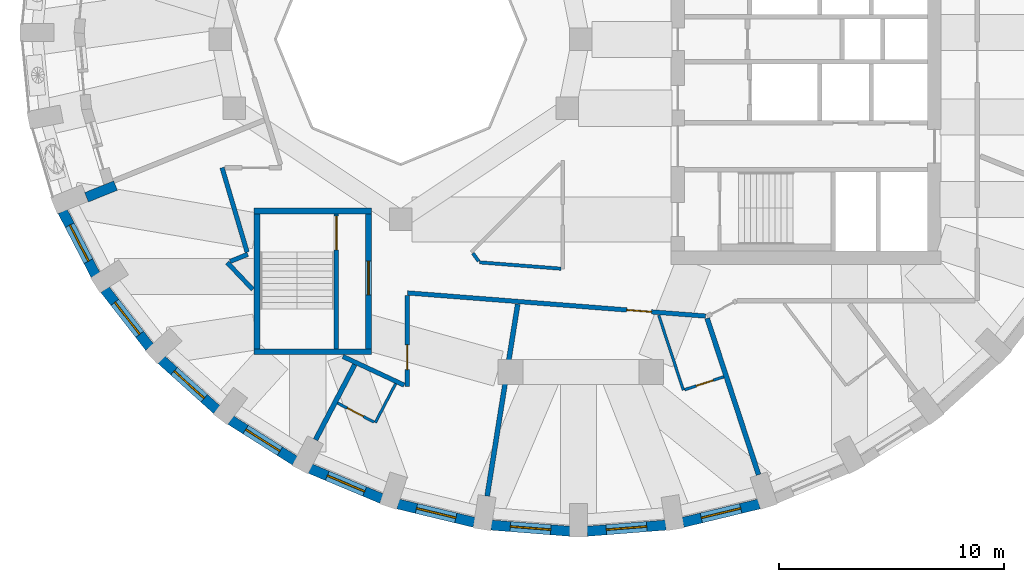
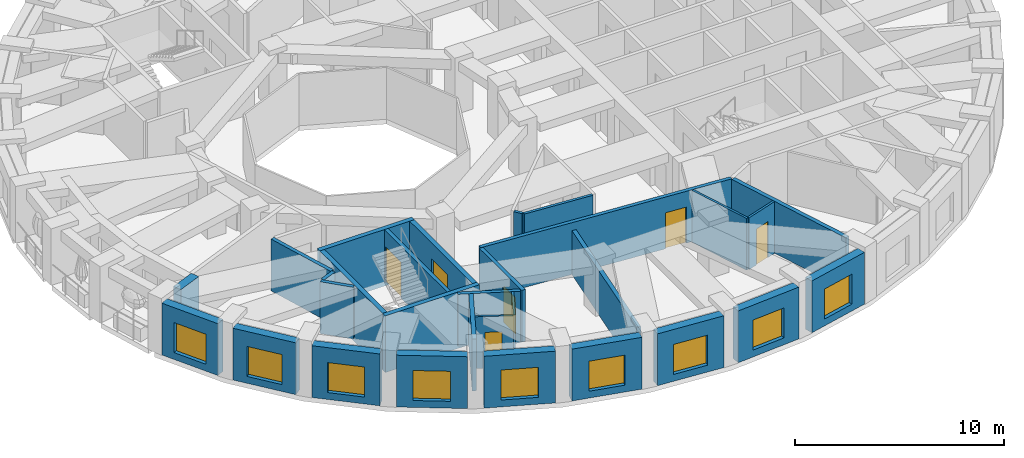
# One storey, part 3 of 12: 30 walls, 9 windows, 6 doors, 15 openings.
"""IFC4 building model written with IfcOpenShell, lengths in metres."""

from ifc_helpers import new_model, si_unit, direction, frame, frame_2d, origin, place, context, subcontext, project, spatial, rectangle, extrude, material, layer, layer_set, type_object, element, fill, save


model = new_model("IFC4")

# Units and contexts
model_context = context("Model", 3, precision=1e-05, world=origin(), true_north=direction((0.0, 1.0)))
body_context = subcontext(model_context, "Body", "Model", "MODEL_VIEW")
ifc_project = project(units=[si_unit("LENGTHUNIT", "METRE"), si_unit("AREAUNIT", "SQUARE_METRE"), si_unit("VOLUMEUNIT", "CUBIC_METRE"), si_unit("PLANEANGLEUNIT", "RADIAN"), si_unit("MASSUNIT", "GRAM", prefix="KILO")], contexts=[model_context])

# Site, building, storey
site_placement = place(None, origin())
site = spatial("IfcSite", under=ifc_project, at=site_placement, CompositionType="ELEMENT")
building_placement = place(site_placement, origin())
building = spatial("IfcBuilding", under=site, at=building_placement, Name="Taillehof Tower", CompositionType="ELEMENT")
storey_placement = place(building_placement, frame((0.0, 0.0, 236.60009765625)))
storey = spatial("IfcBuildingStorey", under=building, at=storey_placement, Name="L67", CompositionType="ELEMENT", Elevation=236.60009765625)

# Wall, opening, window
ifc_material_1 = material(Name="Brick masonry", Category="masonry")
ifc_layer_1 = layer(ifc_material_1, 0.449951171875)
ifc_layer_set_1 = layer_set([ifc_layer_1], Name="Brick infill wall 450")
wall_type_1 = type_object("IfcWallType", Name="Brick infill wall 450", PredefinedType="SOLIDWALL", material=ifc_layer_set_1)
wall_1_placement = place(storey_placement, frame((-23.010009765625, -7.6396484375, 0.0), z_axis=(0.0, 0.0, 1.0), x_axis=(0.459921155255, -0.887959757505, 0.0)))
wall_1 = element("IfcWall", 1, at=wall_1_placement, inside=storey, type_object=wall_type_1, Name="Brick wall L67 bay 21", PredefinedType="SOLIDWALL", context=body_context, shape_type="SweptSolid", body=[
    extrude(rectangle(XDim=3.185546875, YDim=0.449951171875, at=frame_2d((1.5927734375, 0.0))), origin(), (0.0, 0.0, 1.0), 3.02001953125),
])
opening_1_placement = place(wall_1_placement, frame((0.69287109375, 0.0, 0.39990234375)))
opening_1 = element("IfcOpeningElement", 2, at=opening_1_placement, cuts=wall_1, Name="Opening W4", PredefinedType="OPENING", context=body_context, shape_type="SweptSolid", body=[
    extrude(rectangle(XDim=1.800048828125, YDim=1.75, at=frame_2d((0.89990234375, 0.875))), frame((0.0, 0.23486328125, 0.0), z_axis=(0.0, -1.0, 0.0), x_axis=(1.0, 0.0, 0.0)), (0.0, 0.0, 1.0), 0.469970703125),
])
ifc_material_2 = material(Name="Aluminium window frame with clear double glazing", Category="aluminium")
window_type = type_object("IfcWindowType", Name="Deep-set window 1800x1750", PartitioningType="SINGLE_PANEL", PredefinedType="WINDOW", material=ifc_material_2)
window_1_placement = place(opening_1_placement, origin())
window_1 = element("IfcWindow", 3, at=window_1_placement, inside=storey, type_object=window_type, Name="W4", OverallHeight=1.75, OverallWidth=1.800048828125, PartitioningType="SINGLE_PANEL", PredefinedType="WINDOW", context=body_context, shape_type="SweptSolid", body=[
    extrude(rectangle(XDim=1.800048828125, YDim=1.75, at=frame_2d((0.89990234375, 0.875))), frame((0.0, 0.034912109375, 0.0), z_axis=(0.0, -1.0, 0.0), x_axis=(1.0, 0.0, 0.0)), (0.0, 0.0, 1.0), 0.06005859375),
])
fill(opening_1, window_1)

wall_2_placement = place(storey_placement, frame((-21.135009765625, -11.108642578125, 0.0), z_axis=(0.0, 0.0, 1.0), x_axis=(0.613898970825, -0.789384604372, 0.0)))
wall_2 = element("IfcWall", 4, at=wall_2_placement, inside=storey, type_object=wall_type_1, Name="Brick wall L67 bay 22", PredefinedType="SOLIDWALL", context=body_context, shape_type="SweptSolid", body=[
    extrude(rectangle(XDim=3.2470703125, YDim=0.449951171875, at=frame_2d((1.62353515625, 0.0))), origin(), (0.0, 0.0, 1.0), 3.02001953125),
])
opening_2_placement = place(wall_2_placement, frame((0.7236328125, 0.0, 0.39990234375)))
opening_2 = element("IfcOpeningElement", 5, at=opening_2_placement, cuts=wall_2, Name="Opening W4", PredefinedType="OPENING", context=body_context, shape_type="SweptSolid", body=[
    extrude(rectangle(XDim=1.800048828125, YDim=1.75, at=frame_2d((0.89990234375, 0.875))), frame((0.0, 0.23486328125, 0.0), z_axis=(0.0, -1.0, 0.0), x_axis=(1.0, 0.0, 0.0)), (0.0, 0.0, 1.0), 0.469970703125),
])
window_2_placement = place(opening_2_placement, origin())
window_2 = element("IfcWindow", 6, at=window_2_placement, inside=storey, type_object=window_type, Name="W4", OverallHeight=1.75, OverallWidth=1.800048828125, PartitioningType="SINGLE_PANEL", PredefinedType="WINDOW", context=body_context, shape_type="SweptSolid", body=[
    extrude(rectangle(XDim=1.800048828125, YDim=1.75, at=frame_2d((0.89990234375, 0.875))), frame((0.0, 0.034912109375, 0.0), z_axis=(0.0, -1.0, 0.0), x_axis=(1.0, 0.0, 0.0)), (0.0, 0.0, 1.0), 0.06005859375),
])
fill(opening_2, window_2)

wall_3_placement = place(storey_placement, frame((-18.623779296875, -14.228515625, 0.0), z_axis=(0.0, 0.0, 1.0), x_axis=(0.743166014219, -0.669107073128, 0.0)))
wall_3 = element("IfcWall", 7, at=wall_3_placement, inside=storey, type_object=wall_type_1, Name="Brick wall L67 bay 23", PredefinedType="SOLIDWALL", context=body_context, shape_type="SweptSolid", body=[
    extrude(rectangle(XDim=3.31640625, YDim=0.449951171875, at=frame_2d((1.658203125, 0.0))), origin(), (0.0, 0.0, 1.0), 3.02001953125),
])
opening_3_placement = place(wall_3_placement, frame((0.75830078125, 0.0, 0.39990234375)))
opening_3 = element("IfcOpeningElement", 8, at=opening_3_placement, cuts=wall_3, Name="Opening W4", PredefinedType="OPENING", context=body_context, shape_type="SweptSolid", body=[
    extrude(rectangle(XDim=1.800048828125, YDim=1.75, at=frame_2d((0.89990234375, 0.875))), frame((0.0, 0.23486328125, 0.0), z_axis=(0.0, -1.0, 0.0), x_axis=(1.0, 0.0, 0.0)), (0.0, 0.0, 1.0), 0.469970703125),
])
window_3_placement = place(opening_3_placement, origin())
window_3 = element("IfcWindow", 9, at=window_3_placement, inside=storey, type_object=window_type, Name="W4", OverallHeight=1.75, OverallWidth=1.800048828125, PartitioningType="SINGLE_PANEL", PredefinedType="WINDOW", context=body_context, shape_type="SweptSolid", body=[
    extrude(rectangle(XDim=1.800048828125, YDim=1.75, at=frame_2d((0.89990234375, 0.875))), frame((0.0, 0.034912109375, 0.0), z_axis=(0.0, -1.0, 0.0), x_axis=(1.0, 0.0, 0.0)), (0.0, 0.0, 1.0), 0.06005859375),
])
fill(opening_3, window_3)

wall_4_placement = place(storey_placement, frame((-15.552978515625, -16.906005859375, 0.0), z_axis=(0.0, 0.0, 1.0), x_axis=(0.845929139811, -0.53329531258, 0.0)))
wall_4 = element("IfcWall", 10, at=wall_4_placement, inside=storey, type_object=wall_type_1, Name="Brick wall L67 bay 24", PredefinedType="SOLIDWALL", context=body_context, shape_type="SweptSolid", body=[
    extrude(rectangle(XDim=3.384521484375, YDim=0.449951171875, at=frame_2d((1.6923828125, 0.0))), origin(), (0.0, 0.0, 1.0), 3.02001953125),
])
opening_4_placement = place(wall_4_placement, frame((0.792236328125, 0.0, 0.39990234375)))
opening_4 = element("IfcOpeningElement", 11, at=opening_4_placement, cuts=wall_4, Name="Opening W4", PredefinedType="OPENING", context=body_context, shape_type="SweptSolid", body=[
    extrude(rectangle(XDim=1.800048828125, YDim=1.75, at=frame_2d((0.89990234375, 0.875))), frame((0.0, 0.23486328125, 0.0), z_axis=(0.0, -1.0, 0.0), x_axis=(1.0, 0.0, 0.0)), (0.0, 0.0, 1.0), 0.469970703125),
])
window_4_placement = place(opening_4_placement, origin())
window_4 = element("IfcWindow", 12, at=window_4_placement, inside=storey, type_object=window_type, Name="W4", OverallHeight=1.75, OverallWidth=1.800048828125, PartitioningType="SINGLE_PANEL", PredefinedType="WINDOW", context=body_context, shape_type="SweptSolid", body=[
    extrude(rectangle(XDim=1.800048828125, YDim=1.75, at=frame_2d((0.89990234375, 0.875))), frame((0.0, 0.034912109375, 0.0), z_axis=(0.0, -1.0, 0.0), x_axis=(1.0, 0.0, 0.0)), (0.0, 0.0, 1.0), 0.06005859375),
])
fill(opening_4, window_4)

wall_5_placement = place(storey_placement, frame((-12.015625, -19.06201171875, 0.0), z_axis=(0.0, 0.0, 1.0), x_axis=(0.922049934692, -0.3870709469, 0.0)))
wall_5 = element("IfcWall", 13, at=wall_5_placement, inside=storey, type_object=wall_type_1, Name="Brick wall L67 bay 25", PredefinedType="SOLIDWALL", context=body_context, shape_type="SweptSolid", body=[
    extrude(rectangle(XDim=3.443115234375, YDim=0.449951171875, at=frame_2d((1.7216796875, 0.0))), origin(), (0.0, 0.0, 1.0), 3.02001953125),
])
opening_5_placement = place(wall_5_placement, frame((0.82177734375, 0.0, 0.39990234375)))
opening_5 = element("IfcOpeningElement", 14, at=opening_5_placement, cuts=wall_5, Name="Opening W4", PredefinedType="OPENING", context=body_context, shape_type="SweptSolid", body=[
    extrude(rectangle(XDim=1.800048828125, YDim=1.75, at=frame_2d((0.89990234375, 0.875))), frame((0.0, 0.23486328125, 0.0), z_axis=(0.0, -1.0, 0.0), x_axis=(1.0, 0.0, 0.0)), (0.0, 0.0, 1.0), 0.469970703125),
])
window_5_placement = place(opening_5_placement, origin())
window_5 = element("IfcWindow", 15, at=window_5_placement, inside=storey, type_object=window_type, Name="W4", OverallHeight=1.75, OverallWidth=1.800048828125, PartitioningType="SINGLE_PANEL", PredefinedType="WINDOW", context=body_context, shape_type="SweptSolid", body=[
    extrude(rectangle(XDim=1.800048828125, YDim=1.75, at=frame_2d((0.89990234375, 0.875))), frame((0.0, 0.034912109375, 0.0), z_axis=(0.0, -1.0, 0.0), x_axis=(1.0, 0.0, 0.0)), (0.0, 0.0, 1.0), 0.06005859375),
])
fill(opening_5, window_5)

wall_6_placement = place(storey_placement, frame((-8.11865234375, -20.6318359375, 0.0), z_axis=(0.0, 0.0, 1.0), x_axis=(0.972115243017, -0.234503633859, 0.0)))
wall_6 = element("IfcWall", 16, at=wall_6_placement, inside=storey, type_object=wall_type_1, Name="Brick wall L67 bay 26", PredefinedType="SOLIDWALL", context=body_context, shape_type="SweptSolid", body=[
    extrude(rectangle(XDim=3.486572265625, YDim=0.449951171875, at=frame_2d((1.7431640625, 0.0))), origin(), (0.0, 0.0, 1.0), 3.02001953125),
])
opening_6_placement = place(wall_6_placement, frame((0.84326171875, 0.0, 0.39990234375)))
opening_6 = element("IfcOpeningElement", 17, at=opening_6_placement, cuts=wall_6, Name="Opening W4", PredefinedType="OPENING", context=body_context, shape_type="SweptSolid", body=[
    extrude(rectangle(XDim=1.800048828125, YDim=1.75, at=frame_2d((0.89990234375, 0.875))), frame((0.0, 0.23486328125, 0.0), z_axis=(0.0, -1.0, 0.0), x_axis=(1.0, 0.0, 0.0)), (0.0, 0.0, 1.0), 0.469970703125),
])
window_6_placement = place(opening_6_placement, origin())
window_6 = element("IfcWindow", 18, at=window_6_placement, inside=storey, type_object=window_type, Name="W4", OverallHeight=1.75, OverallWidth=1.800048828125, PartitioningType="SINGLE_PANEL", PredefinedType="WINDOW", context=body_context, shape_type="SweptSolid", body=[
    extrude(rectangle(XDim=1.800048828125, YDim=1.75, at=frame_2d((0.89990234375, 0.875))), frame((0.0, 0.034912109375, 0.0), z_axis=(0.0, -1.0, 0.0), x_axis=(1.0, 0.0, 0.0)), (0.0, 0.0, 1.0), 0.06005859375),
])
fill(opening_6, window_6)

wall_7_placement = place(storey_placement, frame((-3.978515625, -21.56884765625, 0.0), z_axis=(0.0, 0.0, 1.0), x_axis=(0.996910775835, -0.078542377245, 0.0)))
wall_7 = element("IfcWall", 19, at=wall_7_placement, inside=storey, type_object=wall_type_1, Name="Brick wall L67 bay 27", PredefinedType="SOLIDWALL", context=body_context, shape_type="SweptSolid", body=[
    extrude(rectangle(XDim=3.50927734375, YDim=0.449951171875, at=frame_2d((1.754638671875, 0.0))), origin(), (0.0, 0.0, 1.0), 3.02001953125),
])
opening_7_placement = place(wall_7_placement, frame((0.854736328125, 0.0, 0.39990234375)))
opening_7 = element("IfcOpeningElement", 20, at=opening_7_placement, cuts=wall_7, Name="Opening W4", PredefinedType="OPENING", context=body_context, shape_type="SweptSolid", body=[
    extrude(rectangle(XDim=1.800048828125, YDim=1.75, at=frame_2d((0.89990234375, 0.875))), frame((0.0, 0.23486328125, 0.0), z_axis=(0.0, -1.0, 0.0), x_axis=(1.0, 0.0, 0.0)), (0.0, 0.0, 1.0), 0.469970703125),
])
window_7_placement = place(opening_7_placement, origin())
window_7 = element("IfcWindow", 21, at=window_7_placement, inside=storey, type_object=window_type, Name="W4", OverallHeight=1.75, OverallWidth=1.800048828125, PartitioningType="SINGLE_PANEL", PredefinedType="WINDOW", context=body_context, shape_type="SweptSolid", body=[
    extrude(rectangle(XDim=1.800048828125, YDim=1.75, at=frame_2d((0.89990234375, 0.875))), frame((0.0, 0.034912109375, 0.0), z_axis=(0.0, -1.0, 0.0), x_axis=(1.0, 0.0, 0.0)), (0.0, 0.0, 1.0), 0.06005859375),
])
fill(opening_7, window_7)

wall_8_placement = place(storey_placement, frame((0.280029296875, -21.844482421875, 0.0), z_axis=(0.0, 0.0, 1.0), x_axis=(0.996910775835, 0.078542377245, 0.0)))
wall_8 = element("IfcWall", 22, at=wall_8_placement, inside=storey, type_object=wall_type_1, Name="Brick wall L67 bay 28", PredefinedType="SOLIDWALL", context=body_context, shape_type="SweptSolid", body=[
    extrude(rectangle(XDim=3.50927734375, YDim=0.449951171875, at=frame_2d((1.754638671875, 0.0))), origin(), (0.0, 0.0, 1.0), 3.02001953125),
])
opening_8_placement = place(wall_8_placement, frame((0.854736328125, 0.0, 0.39990234375)))
opening_8 = element("IfcOpeningElement", 23, at=opening_8_placement, cuts=wall_8, Name="Opening W4", PredefinedType="OPENING", context=body_context, shape_type="SweptSolid", body=[
    extrude(rectangle(XDim=1.800048828125, YDim=1.75, at=frame_2d((0.89990234375, 0.875))), frame((0.0, 0.23486328125, 0.0), z_axis=(0.0, -1.0, 0.0), x_axis=(1.0, 0.0, 0.0)), (0.0, 0.0, 1.0), 0.469970703125),
])
window_8_placement = place(opening_8_placement, origin())
window_8 = element("IfcWindow", 24, at=window_8_placement, inside=storey, type_object=window_type, Name="W4", OverallHeight=1.75, OverallWidth=1.800048828125, PartitioningType="SINGLE_PANEL", PredefinedType="WINDOW", context=body_context, shape_type="SweptSolid", body=[
    extrude(rectangle(XDim=1.800048828125, YDim=1.75, at=frame_2d((0.89990234375, 0.875))), frame((0.0, 0.034912109375, 0.0), z_axis=(0.0, -1.0, 0.0), x_axis=(1.0, 0.0, 0.0)), (0.0, 0.0, 1.0), 0.06005859375),
])
fill(opening_8, window_8)

wall_9_placement = place(storey_placement, frame((4.529296875, -21.449462890625, 0.0), z_axis=(0.0, 0.0, 1.0), x_axis=(0.972115243017, 0.234503633859, 0.0)))
wall_9 = element("IfcWall", 25, at=wall_9_placement, inside=storey, type_object=wall_type_1, Name="Brick wall L67 bay 29", PredefinedType="SOLIDWALL", context=body_context, shape_type="SweptSolid", body=[
    extrude(rectangle(XDim=3.486572265625, YDim=0.449951171875, at=frame_2d((1.7431640625, 0.0))), origin(), (0.0, 0.0, 1.0), 3.02001953125),
])
opening_9_placement = place(wall_9_placement, frame((0.84326171875, 0.0, 0.39990234375)))
opening_9 = element("IfcOpeningElement", 26, at=opening_9_placement, cuts=wall_9, Name="Opening W4", PredefinedType="OPENING", context=body_context, shape_type="SweptSolid", body=[
    extrude(rectangle(XDim=1.800048828125, YDim=1.75, at=frame_2d((0.89990234375, 0.875))), frame((0.0, 0.23486328125, 0.0), z_axis=(0.0, -1.0, 0.0), x_axis=(1.0, 0.0, 0.0)), (0.0, 0.0, 1.0), 0.469970703125),
])
window_9_placement = place(opening_9_placement, origin())
window_9 = element("IfcWindow", 27, at=window_9_placement, inside=storey, type_object=window_type, Name="W4", OverallHeight=1.75, OverallWidth=1.800048828125, PartitioningType="SINGLE_PANEL", PredefinedType="WINDOW", context=body_context, shape_type="SweptSolid", body=[
    extrude(rectangle(XDim=1.800048828125, YDim=1.75, at=frame_2d((0.89990234375, 0.875))), frame((0.0, 0.034912109375, 0.0), z_axis=(0.0, -1.0, 0.0), x_axis=(1.0, 0.0, 0.0)), (0.0, 0.0, 1.0), 0.06005859375),
])
fill(opening_9, window_9)

# Wall
wall_10_placement = place(storey_placement, frame((-21.947998046875, -7.016845703125, 0.0), z_axis=(0.0, 0.0, 1.0), x_axis=(0.927577935879, 0.373629726964, 0.0)))
element("IfcWall", 28, at=wall_10_placement, inside=storey, type_object=wall_type_1, Name="Brick reveal L67 pocket 5", PredefinedType="SOLIDWALL", context=body_context, shape_type="SweptSolid", body=[
    extrude(rectangle(XDim=1.390380859375, YDim=0.449951171875, at=frame_2d((0.6953125, 0.0))), origin(), (0.0, 0.0, 1.0), 3.02001953125),
])

# Wall, opening, door
ifc_material_3 = material(Name="Gypsum board on steel studs, two layers each side", Category="steel")
ifc_layer_2 = layer(ifc_material_3, 0.199951171875)
ifc_layer_set_2 = layer_set([ifc_layer_2], Name="Compartment wall corridor 200")
wall_type_2 = type_object("IfcWallType", Name="Compartment wall corridor 200", PredefinedType="PARTITIONING", material=ifc_layer_set_2)
wall_11_placement = place(storey_placement, frame((5.54248046875, -12.289794921875, 0.0), z_axis=(0.0, 0.0, 1.0), x_axis=(-0.996994281558, 0.077475173702, 0.0)))
wall_11 = element("IfcWall", 29, at=wall_11_placement, inside=storey, type_object=wall_type_2, Name="Compartment wall", PredefinedType="PARTITIONING", context=body_context, shape_type="SweptSolid", body=[
    extrude(rectangle(XDim=13.282470703125, YDim=0.199951171875, at=frame_2d((6.64111328125, 0.0))), origin(), (0.0, 0.0, 1.0), 3.02001953125),
])
opening_10_placement = place(wall_11_placement, frame((2.411865234375, 0.0, 0.0)))
opening_10 = element("IfcOpeningElement", 30, at=opening_10_placement, cuts=wall_11, Name="Opening D6750", PredefinedType="OPENING", context=body_context, shape_type="SweptSolid", body=[
    extrude(rectangle(XDim=1.10009765625, YDim=2.10009765625, at=frame_2d((0.550048828125, 1.050048828125))), frame((0.0, 0.10986328125, 0.0), z_axis=(0.0, -1.0, 0.0), x_axis=(1.0, 0.0, 0.0)), (0.0, 0.0, 1.0), 0.219970703125),
])
ifc_material_4 = material(Name="Timber door leaf in steel frame", Category="steel")
door_type_1 = type_object("IfcDoorType", Name="Suite entrance door EI 30 1100 x 2100", OperationType="SINGLE_SWING_LEFT", PredefinedType="DOOR", material=ifc_material_4)
door_1_placement = place(opening_10_placement, origin())
door_1 = element("IfcDoor", 31, at=door_1_placement, inside=storey, type_object=door_type_1, Name="D6750", OperationType="SINGLE_SWING_LEFT", OverallHeight=2.10009765625, OverallWidth=1.10009765625, PredefinedType="DOOR", context=body_context, shape_type="SweptSolid", body=[
    extrude(rectangle(XDim=1.10009765625, YDim=2.10009765625, at=frame_2d((0.550048828125, 1.050048828125))), frame((0.0, 0.02490234375, 0.0), z_axis=(0.0, -1.0, 0.0), x_axis=(1.0, 0.0, 0.0)), (0.0, 0.0, 1.0), 0.050048828125),
])
fill(opening_10, door_1)

wall_12_placement = place(storey_placement, frame((-7.699951171875, -11.380859375, 0.0), z_axis=(0.0, 0.0, 1.0), x_axis=(0.0, -1.0, 0.0)))
wall_12 = element("IfcWall", 32, at=wall_12_placement, inside=storey, type_object=wall_type_2, Name="Compartment wall", PredefinedType="PARTITIONING", context=body_context, shape_type="SweptSolid", body=[
    extrude(rectangle(XDim=4.043212890625, YDim=0.199951171875, at=frame_2d((2.021484375, 0.0))), origin(), (0.0, 0.0, 1.0), 3.02001953125),
])
opening_11_placement = place(wall_12_placement, frame((2.188720703125, 0.0, 0.0)))
opening_11 = element("IfcOpeningElement", 33, at=opening_11_placement, cuts=wall_12, Name="Opening D6748", PredefinedType="OPENING", context=body_context, shape_type="SweptSolid", body=[
    extrude(rectangle(XDim=1.10009765625, YDim=2.10009765625, at=frame_2d((0.550048828125, 1.050048828125))), frame((0.0, 0.10986328125, 0.0), z_axis=(0.0, -1.0, 0.0), x_axis=(1.0, 0.0, 0.0)), (0.0, 0.0, 1.0), 0.219970703125),
])
door_2_placement = place(opening_11_placement, origin())
door_2 = element("IfcDoor", 34, at=door_2_placement, inside=storey, type_object=door_type_1, Name="D6748", OperationType="SINGLE_SWING_LEFT", OverallHeight=2.10009765625, OverallWidth=1.10009765625, PredefinedType="DOOR", context=body_context, shape_type="SweptSolid", body=[
    extrude(rectangle(XDim=1.10009765625, YDim=2.10009765625, at=frame_2d((0.550048828125, 1.050048828125))), frame((0.0, 0.02490234375, 0.0), z_axis=(0.0, -1.0, 0.0), x_axis=(1.0, 0.0, 0.0)), (0.0, 0.0, 1.0), 0.050048828125),
])
fill(opening_11, door_2)

# Walls
wall_13_placement = place(storey_placement, frame((-7.844482421875, -15.355712890625, 0.0), z_axis=(0.0, 0.0, 1.0), x_axis=(-0.90567561184, 0.423971327001, 0.0)))
element("IfcWall", 35, at=wall_13_placement, inside=storey, type_object=wall_type_2, Name="Compartment wall", PredefinedType="PARTITIONING", context=body_context, shape_type="SweptSolid", body=[
    extrude(rectangle(XDim=3.00244140625, YDim=0.199951171875, at=frame_2d((1.501220703125, 0.0))), origin(), (0.0, 0.0, 1.0), 3.02001953125),
])
wall_14_placement = place(storey_placement, frame((-14.562744140625, -11.11083984375, 0.0), z_axis=(0.0, 0.0, 1.0), x_axis=(-0.688574238414, 0.725165855645, 0.0)))
element("IfcWall", 36, at=wall_14_placement, inside=storey, type_object=wall_type_2, Name="Compartment wall", PredefinedType="PARTITIONING", context=body_context, shape_type="SweptSolid", body=[
    extrude(rectangle(XDim=1.64794921875, YDim=0.199951171875, at=frame_2d((0.823974609375, 0.0))), origin(), (0.0, 0.0, 1.0), 3.02001953125),
])
wall_15_placement = place(storey_placement, frame((-15.567626953125, -9.86279296875, 0.0), z_axis=(0.0, 0.0, 1.0), x_axis=(0.92779485846, 0.373090740457, 0.0)))
element("IfcWall", 37, at=wall_15_placement, inside=storey, type_object=wall_type_2, Name="Compartment wall", PredefinedType="PARTITIONING", context=body_context, shape_type="SweptSolid", body=[
    extrude(rectangle(XDim=0.841552734375, YDim=0.199951171875, at=frame_2d((0.4208984375, 0.0))), origin(), (0.0, 0.0, 1.0), 3.02001953125),
])
wall_16_placement = place(storey_placement, frame((-14.81494140625, -9.452392578125, 0.0), z_axis=(0.0, 0.0, 1.0), x_axis=(-0.284600079658, 0.958646334504, 0.0)))
element("IfcWall", 38, at=wall_16_placement, inside=storey, type_object=wall_type_2, Name="Compartment wall", PredefinedType="PARTITIONING", context=body_context, shape_type="SweptSolid", body=[
    extrude(rectangle(XDim=3.914306640625, YDim=0.199951171875, at=frame_2d((1.95703125, 0.0))), origin(), (0.0, 0.0, 1.0), 3.02001953125),
])
ifc_material_5 = material(Name="Gypsum board on double steel studs with mineral wool", Category="steel")
ifc_layer_3 = layer(ifc_material_5, 0.219970703125)
ifc_layer_set_3 = layer_set([ifc_layer_3], Name="Compartment wall guest room 220")
wall_type_3 = type_object("IfcWallType", Name="Compartment wall guest room 220", PredefinedType="PARTITIONING", material=ifc_layer_set_3)
wall_17_placement = place(storey_placement, frame((-11.7783203125, -17.784423828125, 0.0), z_axis=(0.0, 0.0, 1.0), x_axis=(0.462428808932, 0.886656414103, 0.0)))
element("IfcWall", 39, at=wall_17_placement, inside=storey, type_object=wall_type_3, Name="Compartment wall", PredefinedType="PARTITIONING", context=body_context, shape_type="SweptSolid", body=[
    extrude(rectangle(XDim=3.770751953125, YDim=0.219970703125, at=frame_2d((1.88525390625, 0.0))), origin(), (0.0, 0.0, 1.0), 3.02001953125),
])
wall_18_placement = place(storey_placement, frame((-4.158203125, -20.280517578125, 0.0), z_axis=(0.0, 0.0, 1.0), x_axis=(0.157248675007, 0.987559038341, 0.0)))
element("IfcWall", 40, at=wall_18_placement, inside=storey, type_object=wall_type_3, Name="Compartment wall", PredefinedType="PARTITIONING", context=body_context, shape_type="SweptSolid", body=[
    extrude(rectangle(XDim=8.626220703125, YDim=0.219970703125, at=frame_2d((4.31298828125, 0.0))), origin(), (0.0, 0.0, 1.0), 2.56982421875),
])
wall_19_placement = place(storey_placement, frame((7.891357421875, -19.331787109375, 0.0), z_axis=(0.0, 0.0, 1.0), x_axis=(-0.312264049527, 0.949995349132, 0.0)))
element("IfcWall", 41, at=wall_19_placement, inside=storey, type_object=wall_type_3, Name="Compartment wall", PredefinedType="PARTITIONING", context=body_context, shape_type="SweptSolid", body=[
    extrude(rectangle(XDim=7.303955078125, YDim=0.219970703125, at=frame_2d((3.65185546875, 0.0))), origin(), (0.0, 0.0, 1.0), 3.02001953125),
])
ifc_material_6 = material(Name="Gypsum board on steel studs, two layers each side", Category="steel")
ifc_layer_4 = layer(ifc_material_6, 0.14990234375)
ifc_layer_set_4 = layer_set([ifc_layer_4], Name="Compartment wall service room 150")
wall_type_4 = type_object("IfcWallType", Name="Compartment wall service room 150", PredefinedType="PARTITIONING", material=ifc_layer_set_4)
wall_20_placement = place(storey_placement, frame((-0.880126953125, -10.18603515625, 0.0), z_axis=(0.0, 0.0, 1.0), x_axis=(-0.996990060313, 0.077529475925, 0.0)))
element("IfcWall", 42, at=wall_20_placement, inside=storey, type_object=wall_type_4, Name="Compartment wall", PredefinedType="PARTITIONING", context=body_context, shape_type="SweptSolid", body=[
    extrude(rectangle(XDim=3.630859375, YDim=0.14990234375, at=frame_2d((1.8154296875, 0.0))), origin(), (0.0, 0.0, 1.0), 3.02001953125),
])
wall_21_placement = place(storey_placement, frame((-4.53515625, -9.856201171875, 0.0), z_axis=(0.0, 0.0, 1.0), x_axis=(-0.583807558681, 0.811892070676, 0.0)))
element("IfcWall", 43, at=wall_21_placement, inside=storey, type_object=wall_type_4, Name="Compartment wall", PredefinedType="PARTITIONING", context=body_context, shape_type="SweptSolid", body=[
    extrude(rectangle(XDim=0.43994140625, YDim=0.14990234375, at=frame_2d((0.219970703125, 0.0))), origin(), (0.0, 0.0, 1.0), 3.02001953125),
])
ifc_material_7 = material(Name="Gypsum board on steel studs, moisture resistant", Category="steel")
ifc_layer_5 = layer(ifc_material_7, 0.1201171875)
ifc_layer_set_5 = layer_set([ifc_layer_5], Name="En-suite wall 120")
wall_type_5 = type_object("IfcWallType", Name="En-suite wall 120", PredefinedType="PARTITIONING", material=ifc_layer_set_5)
wall_22_placement = place(storey_placement, frame((-8.221923828125, -15.2900390625, 0.0), z_axis=(0.0, 0.0, 1.0), x_axis=(-0.46232711024, -0.886709446853, 0.0)))
element("IfcWall", 44, at=wall_22_placement, inside=storey, type_object=wall_type_5, Name="En-suite wall", PredefinedType="PARTITIONING", context=body_context, shape_type="SweptSolid", body=[
    extrude(rectangle(XDim=1.9560546875, YDim=0.1201171875, at=frame_2d((0.97802734375, 0.0))), origin(), (0.0, 0.0, 1.0), 3.02001953125),
])
wall_23_placement = place(storey_placement, frame((3.456787109375, -12.246337890625, 0.0), z_axis=(0.0, 0.0, 1.0), x_axis=(0.312255646562, -0.949998111151, 0.0)))
element("IfcWall", 45, at=wall_23_placement, inside=storey, type_object=wall_type_5, Name="En-suite wall", PredefinedType="PARTITIONING", context=body_context, shape_type="SweptSolid", body=[
    extrude(rectangle(XDim=3.505859375, YDim=0.1201171875, at=frame_2d((1.7529296875, 0.0))), origin(), (0.0, 0.0, 1.0), 3.02001953125),
])

# Wall, opening, door
wall_24_placement = place(storey_placement, frame((-9.1796875, -16.99658203125, 0.0), z_axis=(0.0, 0.0, 1.0), x_axis=(-0.886720410479, 0.462306082201, 0.0)))
wall_24 = element("IfcWall", 46, at=wall_24_placement, inside=storey, type_object=wall_type_5, Name="En-suite wall", PredefinedType="PARTITIONING", context=body_context, shape_type="SweptSolid", body=[
    extrude(rectangle(XDim=1.829833984375, YDim=0.1201171875, at=frame_2d((0.9150390625, 0.0))), origin(), (0.0, 0.0, 1.0), 3.02001953125),
])
opening_12_placement = place(wall_24_placement, frame((0.539794921875, 0.0, 0.0)))
opening_12 = element("IfcOpeningElement", 47, at=opening_12_placement, cuts=wall_24, Name="Opening D6749", PredefinedType="OPENING", context=body_context, shape_type="SweptSolid", body=[
    extrude(rectangle(XDim=0.800048828125, YDim=2.10009765625, at=frame_2d((0.39990234375, 1.050048828125))), frame((0.0, 0.070068359375, 0.0), z_axis=(0.0, -1.0, 0.0), x_axis=(1.0, 0.0, 0.0)), (0.0, 0.0, 1.0), 0.14013671875),
])
ifc_material_8 = material(Name="Timber door leaf in steel frame", Category="steel")
door_type_2 = type_object("IfcDoorType", Name="En-suite door 800 x 2100", OperationType="SINGLE_SWING_LEFT", PredefinedType="DOOR", material=ifc_material_8)
door_3_placement = place(opening_12_placement, origin())
door_3 = element("IfcDoor", 48, at=door_3_placement, inside=storey, type_object=door_type_2, Name="D6749", OperationType="SINGLE_SWING_RIGHT", OverallHeight=2.10009765625, OverallWidth=0.800048828125, PredefinedType="DOOR", context=body_context, shape_type="SweptSolid", body=[
    extrude(rectangle(XDim=0.800048828125, YDim=2.10009765625, at=frame_2d((0.39990234375, 1.050048828125))), frame((0.0, 0.02490234375, 0.0), z_axis=(0.0, -1.0, 0.0), x_axis=(1.0, 0.0, 0.0)), (0.0, 0.0, 1.0), 0.050048828125),
])
fill(opening_12, door_3)

wall_25_placement = place(storey_placement, frame((4.6083984375, -15.55810546875, 0.0), z_axis=(0.0, 0.0, 1.0), x_axis=(0.949995576072, 0.312263359111, 0.0)))
wall_25 = element("IfcWall", 49, at=wall_25_placement, inside=storey, type_object=wall_type_5, Name="En-suite wall", PredefinedType="PARTITIONING", context=body_context, shape_type="SweptSolid", body=[
    extrude(rectangle(XDim=1.830322265625, YDim=0.1201171875, at=frame_2d((0.9150390625, 0.0))), origin(), (0.0, 0.0, 1.0), 3.02001953125),
])
opening_13_placement = place(wall_25_placement, frame((0.540283203125, 0.0, 0.0)))
opening_13 = element("IfcOpeningElement", 50, at=opening_13_placement, cuts=wall_25, Name="Opening D6751", PredefinedType="OPENING", context=body_context, shape_type="SweptSolid", body=[
    extrude(rectangle(XDim=0.800048828125, YDim=2.10009765625, at=frame_2d((0.39990234375, 1.050048828125))), frame((0.0, 0.070068359375, 0.0), z_axis=(0.0, -1.0, 0.0), x_axis=(1.0, 0.0, 0.0)), (0.0, 0.0, 1.0), 0.14013671875),
])
door_4_placement = place(opening_13_placement, origin())
door_4 = element("IfcDoor", 51, at=door_4_placement, inside=storey, type_object=door_type_2, Name="D6751", OperationType="SINGLE_SWING_LEFT", OverallHeight=2.10009765625, OverallWidth=0.800048828125, PredefinedType="DOOR", context=body_context, shape_type="SweptSolid", body=[
    extrude(rectangle(XDim=0.800048828125, YDim=2.10009765625, at=frame_2d((0.39990234375, 1.050048828125))), frame((0.0, 0.02490234375, 0.0), z_axis=(0.0, -1.0, 0.0), x_axis=(1.0, 0.0, 0.0)), (0.0, 0.0, 1.0), 0.050048828125),
])
fill(opening_13, door_4)

ifc_material_9 = material(Name="Concrete C50/60", Category="concrete")
ifc_layer_6 = layer(ifc_material_9, 0.199951171875)
ifc_layer_set_6 = layer_set([ifc_layer_6], Name="Shaft wall C50/60 200")
wall_type_6 = type_object("IfcWallType", Name="Shaft wall C50/60 200", PredefinedType="SHEAR", material=ifc_layer_set_6)
wall_26_placement = place(storey_placement, frame((-10.85009765625, -13.75, 0.0), z_axis=(0.0, 0.0, 1.0), x_axis=(0.0, 1.0, 0.0)))
wall_26 = element("IfcWall", 52, at=wall_26_placement, inside=storey, type_object=wall_type_6, Name="Shaft wall SW", PredefinedType="SHEAR", context=body_context, shape_type="SweptSolid", body=[
    extrude(rectangle(XDim=6.0, YDim=0.199951171875, at=frame_2d((3.0, 0.0))), origin(), (0.0, 0.0, 1.0), 3.02001953125),
])
opening_14_placement = place(wall_26_placement, frame((4.39990234375, 0.0, 0.0)))
opening_14 = element("IfcOpeningElement", 53, at=opening_14_placement, cuts=wall_26, Name="Opening D6713", PredefinedType="OPENING", context=body_context, shape_type="SweptSolid", body=[
    extrude(rectangle(XDim=1.5, YDim=2.10009765625, at=frame_2d((0.75, 1.050048828125))), frame((0.0, 0.10986328125, 0.0), z_axis=(0.0, -1.0, 0.0), x_axis=(1.0, 0.0, 0.0)), (0.0, 0.0, 1.0), 0.219970703125),
])
ifc_material_10 = material(Name="Steel-faced fire door", Category="steel")
door_type_3 = type_object("IfcDoorType", Name="Stair door 1500x2100", OperationType="DOUBLE_DOOR_SINGLE_SWING", PredefinedType="DOOR", material=ifc_material_10)
door_5_placement = place(opening_14_placement, origin())
door_5 = element("IfcDoor", 54, at=door_5_placement, inside=storey, type_object=door_type_3, Name="Stair lobby door S4", OperationType="DOUBLE_DOOR_SINGLE_SWING", OverallHeight=2.10009765625, OverallWidth=1.5, PredefinedType="DOOR", context=body_context, shape_type="SweptSolid", body=[
    extrude(rectangle(XDim=1.5, YDim=2.10009765625, at=frame_2d((0.75, 1.050048828125))), frame((0.0, 0.02490234375, 0.0), z_axis=(0.0, -1.0, 0.0), x_axis=(1.0, 0.0, 0.0)), (0.0, 0.0, 1.0), 0.050048828125),
])
fill(opening_14, door_5)

# Wall
ifc_material_11 = material(Name="Concrete C50/60", Category="concrete")
ifc_layer_7 = layer(ifc_material_11, 0.25)
ifc_layer_set_7 = layer_set([ifc_layer_7], Name="Stair wall C50/60 250")
wall_type_7 = type_object("IfcWallType", Name="Stair wall C50/60 250", PredefinedType="SHEAR", material=ifc_layer_set_7)
wall_27_placement = place(storey_placement, frame((-14.375, -13.75, -0.280029296875), z_axis=(0.0, 0.0, 1.0), x_axis=(0.0, 1.0, 0.0)))
element("IfcWall", 55, at=wall_27_placement, inside=storey, type_object=wall_type_7, Name="Stair wall SC", PredefinedType="SHEAR", context=body_context, shape_type="SweptSolid", body=[
    extrude(rectangle(XDim=6.0, YDim=0.25, at=frame_2d((3.0, 0.0))), origin(), (0.0, 0.0, 1.0), 3.300048828125),
])

# Wall, opening, door
wall_28_placement = place(storey_placement, frame((-9.425048828125, -13.75, -0.280029296875), z_axis=(0.0, 0.0, 1.0), x_axis=(0.0, 1.0, 0.0)))
wall_28 = element("IfcWall", 56, at=wall_28_placement, inside=storey, type_object=wall_type_7, Name="Stair wall SC", PredefinedType="SHEAR", context=body_context, shape_type="SweptSolid", body=[
    extrude(rectangle(XDim=6.0, YDim=0.25, at=frame_2d((3.0, 0.0))), origin(), (0.0, 0.0, 1.0), 3.300048828125),
])
opening_15_placement = place(wall_28_placement, frame((2.39990234375, 0.0, 0.280029296875)))
opening_15 = element("IfcOpeningElement", 57, at=opening_15_placement, cuts=wall_28, Name="Opening D6716", PredefinedType="OPENING", context=body_context, shape_type="SweptSolid", body=[
    extrude(rectangle(XDim=1.5, YDim=2.10009765625, at=frame_2d((0.75, 1.050048828125))), frame((0.0, 0.135009765625, 0.0), z_axis=(0.0, -1.0, 0.0), x_axis=(1.0, 0.0, 0.0)), (0.0, 0.0, 1.0), 0.27001953125),
])
door_6_placement = place(opening_15_placement, origin())
door_6 = element("IfcDoor", 58, at=door_6_placement, inside=storey, type_object=door_type_3, Name="Stair door S4", OperationType="DOUBLE_DOOR_SINGLE_SWING", OverallHeight=2.10009765625, OverallWidth=1.5, PredefinedType="DOOR", context=body_context, shape_type="SweptSolid", body=[
    extrude(rectangle(XDim=1.5, YDim=2.10009765625, at=frame_2d((0.75, 1.050048828125))), frame((0.0, 0.02490234375, 0.0), z_axis=(0.0, -1.0, 0.0), x_axis=(1.0, 0.0, 0.0)), (0.0, 0.0, 1.0), 0.050048828125),
])
fill(opening_15, door_6)

# Walls
for number, where, z_axis, x_axis, name in (
    (59, (-14.5, -7.625, -0.280029296875), (0.0, 0.0, 1.0), (1.0, 0.0, 0.0), "Stair wall SC"),
    (60, (-14.5, -13.875, -0.280029296875), (0.0, 0.0, 1.0), (1.0, 0.0, 0.0), "Stair wall SC"),
):
    element("IfcWall", number, at=place(storey_placement, frame(where, z_axis=z_axis, x_axis=x_axis)), inside=storey, type_object=wall_type_7, Name=name, PredefinedType="SHEAR", context=body_context, shape_type="SweptSolid", body=[
        extrude(rectangle(XDim=5.199951171875, YDim=0.25, at=frame_2d((2.60009765625, 0.0))), origin(), (0.0, 0.0, 1.0), 3.300048828125),
    ])

save(model, "model.ifc")
